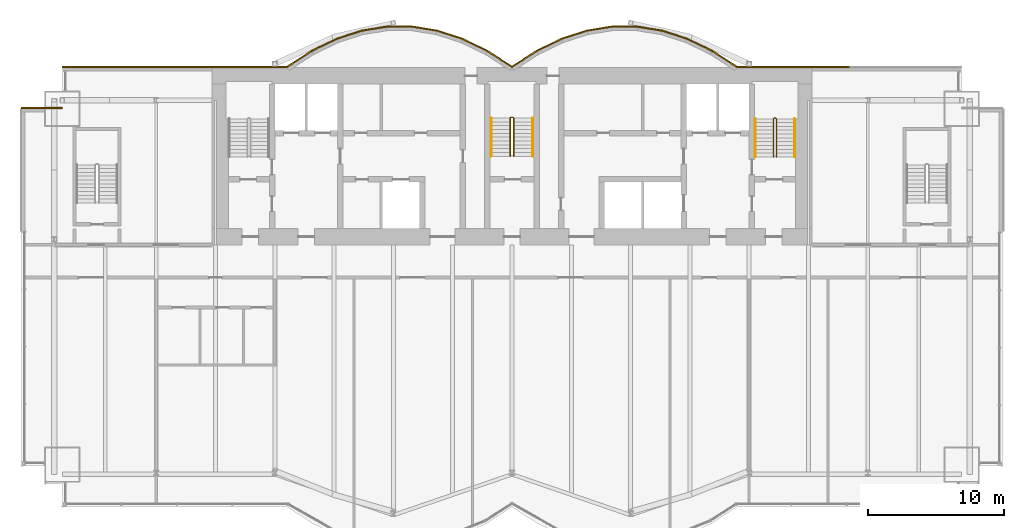
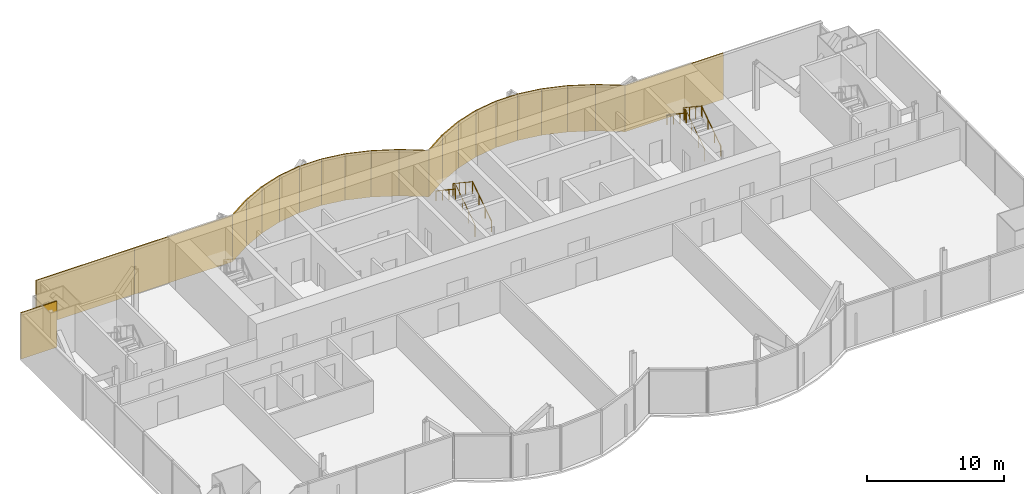
# One storey, part 19 of 20: 22 coverings, 6 railings.
"""IFC4 building model written with IfcOpenShell, lengths in metres."""

from ifc_helpers import new_model, si_unit, direction, frame, origin, origin_2d, place, context, subcontext, project, spatial, rectangle, circle, extrude, material, layer, layer_set, type_object, element, save


model = new_model("IFC4")

# Units and contexts
model_context = context("Model", 3, precision=1e-05, world=origin(), true_north=direction((0.0, 1.0)))
body_context = subcontext(model_context, "Body", "Model", "MODEL_VIEW")
ifc_project = project(units=[si_unit("LENGTHUNIT", "METRE"), si_unit("AREAUNIT", "SQUARE_METRE"), si_unit("VOLUMEUNIT", "CUBIC_METRE"), si_unit("PLANEANGLEUNIT", "RADIAN"), si_unit("MASSUNIT", "GRAM", prefix="KILO")], contexts=[model_context])

# Site, building, storey
site_placement = place(None, origin())
site = spatial("IfcSite", under=ifc_project, at=site_placement, CompositionType="ELEMENT")
building_placement = place(site_placement, origin())
building = spatial("IfcBuilding", under=site, at=building_placement, Name="Bicima Exchange Tower", CompositionType="ELEMENT")
storey_placement = place(building_placement, frame((0.0, 0.0, 207.300048828125)))
storey = spatial("IfcBuildingStorey", under=building, at=storey_placement, Name="L46", CompositionType="ELEMENT", Elevation=207.300048828125)

# Coverings
ifc_material_1 = material(Name="Bronze metal cladding")
ifc_layer_1 = layer(ifc_material_1, 0.004)
ifc_material_2 = material(Name="Ventilated cavity")
ifc_layer_2 = layer(ifc_material_2, 0.06)
ifc_material_3 = material(Name="Galvanised steel rail and mineral wool", Category="steel")
ifc_layer_3 = layer(ifc_material_3, 0.036)
ifc_layer_set = layer_set([ifc_layer_1, ifc_layer_2, ifc_layer_3], Name="Ventilated cavity")
covering_type = type_object("IfcCoveringType", Name="Bronze metal cladding panel 100", PredefinedType="CLADDING", material=ifc_layer_set)
covering_1_placement = place(storey_placement, frame((20.625, 0.050048828125, -0.150146484375), z_axis=(0.0, 0.0, 1.0), x_axis=(-1.0, 0.0, 0.0)))
element("IfcCovering", 1, at=covering_1_placement, inside=storey, type_object=covering_type, Name="Bronze cladding L46 1.2", PredefinedType="CLADDING", context=body_context, shape_type="SweptSolid", body=[
    extrude(rectangle(XDim=8.25, YDim=0.10009765625, at=origin_2d()), origin(), (0.0, 0.0, 1.0), 4.10009765625),
])
covering_2_placement = place(storey_placement, frame((15.610595703125, 0.634521484375, -0.150146484375), z_axis=(0.0, 0.0, 1.0), x_axis=(-0.839790466384, 0.542910648791, 0.0)))
element("IfcCovering", 2, at=covering_2_placement, inside=storey, type_object=covering_type, Name="Bronze cladding L46 2.1", PredefinedType="CLADDING", context=body_context, shape_type="SweptSolid", body=[
    extrude(rectangle(XDim=2.18310546875, YDim=0.10009765625, at=origin_2d()), origin(), (0.0, 0.0, 1.0), 4.10009765625),
])
covering_3_placement = place(storey_placement, frame((13.771728515625, 1.674560546875, -0.150146484375), z_axis=(0.0, 0.0, 1.0), x_axis=(-0.899818346812, 0.436264762204, 0.0)))
element("IfcCovering", 3, at=covering_3_placement, inside=storey, type_object=covering_type, Name="Bronze cladding L46 3.1", PredefinedType="CLADDING", context=body_context, shape_type="SweptSolid", body=[
    extrude(rectangle(XDim=2.03759765625, YDim=0.10009765625, at=origin_2d()), origin(), (0.0, 0.0, 1.0), 4.10009765625),
])
covering_4_placement = place(storey_placement, frame((11.931884765625, 2.41796875, -0.150146484375), z_axis=(0.0, 0.0, 1.0), x_axis=(-0.951524642381, 0.307572519808, 0.0)))
element("IfcCovering", 4, at=covering_4_placement, inside=storey, type_object=covering_type, Name="Bronze cladding L46 4.1", PredefinedType="CLADDING", context=body_context, shape_type="SweptSolid", body=[
    extrude(rectangle(XDim=1.9267578125, YDim=0.10009765625, at=origin_2d()), origin(), (0.0, 0.0, 1.0), 4.10009765625),
])
covering_5_placement = place(storey_placement, frame((10.09130859375, 2.8642578125, -0.150146484375), z_axis=(0.0, 0.0, 1.0), x_axis=(-0.987189786347, 0.159550386184, 0.0)))
element("IfcCovering", 5, at=covering_5_placement, inside=storey, type_object=covering_type, Name="Bronze cladding L46 5.1", PredefinedType="CLADDING", context=body_context, shape_type="SweptSolid", body=[
    extrude(rectangle(XDim=1.857177734375, YDim=0.10009765625, at=origin_2d()), origin(), (0.0, 0.0, 1.0), 4.10009765625),
])
covering_6_placement = place(storey_placement, frame((8.25, 3.012939453125, -0.150146484375), z_axis=(0.0, 0.0, 1.0), x_axis=(-1.0, 0.0, 0.0)))
element("IfcCovering", 6, at=covering_6_placement, inside=storey, type_object=covering_type, Name="Bronze cladding L46 6.1", PredefinedType="CLADDING", context=body_context, shape_type="SweptSolid", body=[
    extrude(rectangle(XDim=1.83349609375, YDim=0.10009765625, at=origin_2d()), origin(), (0.0, 0.0, 1.0), 4.10009765625),
])
covering_7_placement = place(storey_placement, frame((6.40869140625, 2.8642578125, -0.150146484375), z_axis=(0.0, 0.0, 1.0), x_axis=(-0.987189786347, -0.159550386184, 0.0)))
element("IfcCovering", 7, at=covering_7_placement, inside=storey, type_object=covering_type, Name="Bronze cladding L46 7.1", PredefinedType="CLADDING", context=body_context, shape_type="SweptSolid", body=[
    extrude(rectangle(XDim=1.857177734375, YDim=0.10009765625, at=origin_2d()), origin(), (0.0, 0.0, 1.0), 4.10009765625),
])
covering_8_placement = place(storey_placement, frame((4.568115234375, 2.41796875, -0.150146484375), z_axis=(0.0, 0.0, 1.0), x_axis=(-0.951524642381, -0.307572519808, 0.0)))
element("IfcCovering", 8, at=covering_8_placement, inside=storey, type_object=covering_type, Name="Bronze cladding L46 8.1", PredefinedType="CLADDING", context=body_context, shape_type="SweptSolid", body=[
    extrude(rectangle(XDim=1.9267578125, YDim=0.10009765625, at=origin_2d()), origin(), (0.0, 0.0, 1.0), 4.10009765625),
])
covering_9_placement = place(storey_placement, frame((2.728271484375, 1.674560546875, -0.150146484375), z_axis=(0.0, 0.0, 1.0), x_axis=(-0.899818346812, -0.436264762204, 0.0)))
element("IfcCovering", 9, at=covering_9_placement, inside=storey, type_object=covering_type, Name="Bronze cladding L46 9.1", PredefinedType="CLADDING", context=body_context, shape_type="SweptSolid", body=[
    extrude(rectangle(XDim=2.03759765625, YDim=0.10009765625, at=origin_2d()), origin(), (0.0, 0.0, 1.0), 4.10009765625),
])
for number, where, z_axis, x_axis, name in (
    (10, (0.889404296875, 0.634521484375, -0.150146484375), (0.0, 0.0, 1.0), (-0.839790466384, -0.542910648791, 0.0), "Bronze cladding L46 10.1"),
    (11, (-0.889404296875, 0.634521484375, -0.150146484375), (0.0, 0.0, 1.0), (-0.839790466384, 0.542910648791, 0.0), "Bronze cladding L46 11.1"),
):
    element("IfcCovering", number, at=place(storey_placement, frame(where, z_axis=z_axis, x_axis=x_axis)), inside=storey, type_object=covering_type, Name=name, PredefinedType="CLADDING", context=body_context, shape_type="SweptSolid", body=[
        extrude(rectangle(XDim=2.18310546875, YDim=0.10009765625, at=origin_2d()), origin(), (0.0, 0.0, 1.0), 4.10009765625),
    ])
covering_10_placement = place(storey_placement, frame((-2.728271484375, 1.674560546875, -0.150146484375), z_axis=(0.0, 0.0, 1.0), x_axis=(-0.899818346812, 0.436264762204, 0.0)))
element("IfcCovering", 12, at=covering_10_placement, inside=storey, type_object=covering_type, Name="Bronze cladding L46 12.1", PredefinedType="CLADDING", context=body_context, shape_type="SweptSolid", body=[
    extrude(rectangle(XDim=2.03759765625, YDim=0.10009765625, at=origin_2d()), origin(), (0.0, 0.0, 1.0), 4.10009765625),
])
covering_11_placement = place(storey_placement, frame((-4.568115234375, 2.41796875, -0.150146484375), z_axis=(0.0, 0.0, 1.0), x_axis=(-0.951524642381, 0.307572519808, 0.0)))
element("IfcCovering", 13, at=covering_11_placement, inside=storey, type_object=covering_type, Name="Bronze cladding L46 13.1", PredefinedType="CLADDING", context=body_context, shape_type="SweptSolid", body=[
    extrude(rectangle(XDim=1.9267578125, YDim=0.10009765625, at=origin_2d()), origin(), (0.0, 0.0, 1.0), 4.10009765625),
])
covering_12_placement = place(storey_placement, frame((-6.40869140625, 2.8642578125, -0.150146484375), z_axis=(0.0, 0.0, 1.0), x_axis=(-0.987189786347, 0.159550386184, 0.0)))
element("IfcCovering", 14, at=covering_12_placement, inside=storey, type_object=covering_type, Name="Bronze cladding L46 14.1", PredefinedType="CLADDING", context=body_context, shape_type="SweptSolid", body=[
    extrude(rectangle(XDim=1.857177734375, YDim=0.10009765625, at=origin_2d()), origin(), (0.0, 0.0, 1.0), 4.10009765625),
])
covering_13_placement = place(storey_placement, frame((-8.25, 3.012939453125, -0.150146484375), z_axis=(0.0, 0.0, 1.0), x_axis=(-1.0, 0.0, 0.0)))
element("IfcCovering", 15, at=covering_13_placement, inside=storey, type_object=covering_type, Name="Bronze cladding L46 15.1", PredefinedType="CLADDING", context=body_context, shape_type="SweptSolid", body=[
    extrude(rectangle(XDim=1.83349609375, YDim=0.10009765625, at=origin_2d()), origin(), (0.0, 0.0, 1.0), 4.10009765625),
])
covering_14_placement = place(storey_placement, frame((-10.09130859375, 2.8642578125, -0.150146484375), z_axis=(0.0, 0.0, 1.0), x_axis=(-0.987189786347, -0.159550386184, 0.0)))
element("IfcCovering", 16, at=covering_14_placement, inside=storey, type_object=covering_type, Name="Bronze cladding L46 16.1", PredefinedType="CLADDING", context=body_context, shape_type="SweptSolid", body=[
    extrude(rectangle(XDim=1.857177734375, YDim=0.10009765625, at=origin_2d()), origin(), (0.0, 0.0, 1.0), 4.10009765625),
])
covering_15_placement = place(storey_placement, frame((-11.931884765625, 2.41796875, -0.150146484375), z_axis=(0.0, 0.0, 1.0), x_axis=(-0.951524642381, -0.307572519808, 0.0)))
element("IfcCovering", 17, at=covering_15_placement, inside=storey, type_object=covering_type, Name="Bronze cladding L46 17.1", PredefinedType="CLADDING", context=body_context, shape_type="SweptSolid", body=[
    extrude(rectangle(XDim=1.9267578125, YDim=0.10009765625, at=origin_2d()), origin(), (0.0, 0.0, 1.0), 4.10009765625),
])
covering_16_placement = place(storey_placement, frame((-13.771728515625, 1.674560546875, -0.150146484375), z_axis=(0.0, 0.0, 1.0), x_axis=(-0.899818346812, -0.436264762204, 0.0)))
element("IfcCovering", 18, at=covering_16_placement, inside=storey, type_object=covering_type, Name="Bronze cladding L46 18.1", PredefinedType="CLADDING", context=body_context, shape_type="SweptSolid", body=[
    extrude(rectangle(XDim=2.03759765625, YDim=0.10009765625, at=origin_2d()), origin(), (0.0, 0.0, 1.0), 4.10009765625),
])
covering_17_placement = place(storey_placement, frame((-15.610595703125, 0.634521484375, -0.150146484375), z_axis=(0.0, 0.0, 1.0), x_axis=(-0.839790466384, -0.542910648791, 0.0)))
element("IfcCovering", 19, at=covering_17_placement, inside=storey, type_object=covering_type, Name="Bronze cladding L46 19.1", PredefinedType="CLADDING", context=body_context, shape_type="SweptSolid", body=[
    extrude(rectangle(XDim=2.18310546875, YDim=0.10009765625, at=origin_2d()), origin(), (0.0, 0.0, 1.0), 4.10009765625),
])
for number, where, z_axis, x_axis, name in (
    (20, (-20.625, 0.050048828125, -0.150146484375), (0.0, 0.0, 1.0), (-1.0, 0.0, 0.0), "Bronze cladding L46 20.1"),
    (21, (-28.875, 0.050048828125, -0.150146484375), (0.0, 0.0, 1.0), (-1.0, 0.0, 0.0), "Bronze cladding L46 20.2"),
):
    element("IfcCovering", number, at=place(storey_placement, frame(where, z_axis=z_axis, x_axis=x_axis)), inside=storey, type_object=covering_type, Name=name, PredefinedType="CLADDING", context=body_context, shape_type="SweptSolid", body=[
        extrude(rectangle(XDim=8.25, YDim=0.10009765625, at=origin_2d()), origin(), (0.0, 0.0, 1.0), 4.10009765625),
    ])
covering_18_placement = place(storey_placement, frame((-34.5, -2.949951171875, -0.150146484375), z_axis=(0.0, 0.0, 1.0), x_axis=(-1.0, 0.0, 0.0)))
element("IfcCovering", 22, at=covering_18_placement, inside=storey, type_object=covering_type, Name="Bronze cladding L46 22.1", PredefinedType="CLADDING", context=body_context, shape_type="SweptSolid", body=[
    extrude(rectangle(XDim=3.0, YDim=0.10009765625, at=origin_2d()), origin(), (0.0, 0.0, 1.0), 4.10009765625),
])

# Railings
ifc_material_4 = material(Name="Stainless steel", Category="steel")
railing_type_1 = type_object("IfcRailingType", Name="Stair guard 1100", PredefinedType="GUARDRAIL", material=ifc_material_4)
railing_1_placement = place(storey_placement, frame((0.125, -6.5, 0.186279296875)))
element("IfcRailing", 23, at=railing_1_placement, inside=storey, type_object=railing_type_1, Name="L46 ST-C stair guard 1", PredefinedType="GUARDRAIL", context=body_context, shape_type="SweptSolid", body=[
    extrude(circle(Radius=0.02392578125, at=origin_2d()), frame((0.0, 0.0, 1.076171875), z_axis=(0.0, 0.832452072856, 0.554097055034), x_axis=(-1.0, 0.0, 0.0)), (0.0, 0.0, 1.0), 3.363525390625),
    extrude(circle(Radius=0.02392578125, at=origin_2d()), frame((0.0, 2.800048828125, 2.93994140625), z_axis=(-0.707106781187, 0.707106781187, 0.0), x_axis=(-0.707106781187, -0.707106781187, 0.0)), (0.0, 0.0, 1.0), 0.07080078125),
    extrude(circle(Radius=0.02392578125, at=origin_2d()), frame((-0.050048828125, 2.85009765625, 2.93994140625), z_axis=(-1.0, 0.0, 0.0), x_axis=(0.0, -1.0, 0.0)), (0.0, 0.0, 1.0), 0.14990234375),
    extrude(circle(Radius=0.02392578125, at=origin_2d()), frame((-0.199951171875, 2.85009765625, 2.93994140625), z_axis=(-0.251157038772, -0.251157038772, 0.934794246747), x_axis=(0.707106781187, -0.707106781187, 0.0)), (0.0, 0.0, 1.0), 0.19921875),
    extrude(circle(Radius=0.02392578125, at=origin_2d()), frame((-0.25, 2.800048828125, 3.1259765625), z_axis=(0.0, -0.832485552168, 0.554046753832), x_axis=(1.0, 0.0, 0.0)), (0.0, 0.0, 1.0), 3.363525390625),
    extrude(circle(Radius=0.02099609375, at=origin_2d()), origin(), (0.0, 0.0, 1.0), 1.052001953125),
    extrude(circle(Radius=0.02099609375, at=origin_2d()), frame((0.0, 0.933349609375, 0.621337890625)), (0.0, 0.0, 1.0), 1.052001953125),
    extrude(circle(Radius=0.02099609375, at=origin_2d()), frame((0.0, 1.86669921875, 1.242431640625)), (0.0, 0.0, 1.0), 1.052001953125),
    extrude(circle(Radius=0.02099609375, at=origin_2d()), frame((0.0, 2.800048828125, 1.86376953125)), (0.0, 0.0, 1.0), 1.052001953125),
    extrude(circle(Radius=0.02099609375, at=origin_2d()), frame((-0.050048828125, 2.85009765625, 1.86376953125)), (0.0, 0.0, 1.0), 1.052001953125),
    extrude(circle(Radius=0.02099609375, at=origin_2d()), frame((-0.199951171875, 2.85009765625, 1.86376953125)), (0.0, 0.0, 1.0), 1.052001953125),
    extrude(circle(Radius=0.02099609375, at=origin_2d()), frame((-0.25, 2.800048828125, 2.050048828125)), (0.0, 0.0, 1.0), 1.052001953125),
    extrude(circle(Radius=0.02099609375, at=origin_2d()), frame((-0.25, 1.86669921875, 2.671142578125)), (0.0, 0.0, 1.0), 1.052001953125),
    extrude(circle(Radius=0.02099609375, at=origin_2d()), frame((-0.25, 0.933349609375, 3.29248046875)), (0.0, 0.0, 1.0), 1.052001953125),
    extrude(circle(Radius=0.02099609375, at=origin_2d()), frame((-0.25, 0.0, 3.91357421875)), (0.0, 0.0, 1.0), 1.052001953125),
])
railing_2_placement = place(storey_placement, frame((19.39990234375, -6.550048828125, 0.186279296875)))
element("IfcRailing", 24, at=railing_2_placement, inside=storey, type_object=railing_type_1, Name="L46 ST-E stair guard 1", PredefinedType="GUARDRAIL", context=body_context, shape_type="SweptSolid", body=[
    extrude(circle(Radius=0.02392578125, at=origin_2d()), frame((0.0, 0.0, 1.076171875), z_axis=(0.0, 0.832452072856, 0.554097055034), x_axis=(-1.0, 0.0, 0.0)), (0.0, 0.0, 1.0), 3.363525390625),
    extrude(circle(Radius=0.02392578125, at=origin_2d()), frame((0.0, 2.800048828125, 2.93994140625), z_axis=(-0.705375805398, 0.708833529934, 0.0), x_axis=(-0.708833529934, -0.705375805398, 0.0)), (0.0, 0.0, 1.0), 0.070556640625),
    extrude(circle(Radius=0.02392578125, at=origin_2d()), frame((-0.0498046875, 2.85009765625, 2.93994140625), z_axis=(-1.0, 0.0, 0.0), x_axis=(0.0, -1.0, 0.0)), (0.0, 0.0, 1.0), 0.10009765625),
    extrude(circle(Radius=0.02392578125, at=origin_2d()), frame((-0.14990234375, 2.85009765625, 2.93994140625), z_axis=(-0.251157038772, -0.251157038772, 0.934794246747), x_axis=(0.707106781187, -0.707106781187, 0.0)), (0.0, 0.0, 1.0), 0.19921875),
    extrude(circle(Radius=0.02392578125, at=origin_2d()), frame((-0.199951171875, 2.800048828125, 3.1259765625), z_axis=(0.0, -0.832485552168, 0.554046753832), x_axis=(1.0, 0.0, 0.0)), (0.0, 0.0, 1.0), 3.363525390625),
    extrude(circle(Radius=0.02099609375, at=origin_2d()), origin(), (0.0, 0.0, 1.0), 1.052001953125),
    extrude(circle(Radius=0.02099609375, at=origin_2d()), frame((0.0, 0.933349609375, 0.621337890625)), (0.0, 0.0, 1.0), 1.052001953125),
    extrude(circle(Radius=0.02099609375, at=origin_2d()), frame((0.0, 1.86669921875, 1.242431640625)), (0.0, 0.0, 1.0), 1.052001953125),
    extrude(circle(Radius=0.02099609375, at=origin_2d()), frame((0.0, 2.800048828125, 1.86376953125)), (0.0, 0.0, 1.0), 1.052001953125),
    extrude(circle(Radius=0.02099609375, at=origin_2d()), frame((-0.0498046875, 2.85009765625, 1.86376953125)), (0.0, 0.0, 1.0), 1.052001953125),
    extrude(circle(Radius=0.02099609375, at=origin_2d()), frame((-0.14990234375, 2.85009765625, 1.86376953125)), (0.0, 0.0, 1.0), 1.052001953125),
    extrude(circle(Radius=0.02099609375, at=origin_2d()), frame((-0.199951171875, 2.800048828125, 2.050048828125)), (0.0, 0.0, 1.0), 1.052001953125),
    extrude(circle(Radius=0.02099609375, at=origin_2d()), frame((-0.199951171875, 1.86669921875, 2.671142578125)), (0.0, 0.0, 1.0), 1.052001953125),
    extrude(circle(Radius=0.02099609375, at=origin_2d()), frame((-0.199951171875, 0.933349609375, 3.29248046875)), (0.0, 0.0, 1.0), 1.052001953125),
    extrude(circle(Radius=0.02099609375, at=origin_2d()), frame((-0.199951171875, 0.0, 3.91357421875)), (0.0, 0.0, 1.0), 1.052001953125),
])
railing_type_2 = type_object("IfcRailingType", Name="Stair handrail 900", PredefinedType="HANDRAIL", material=ifc_material_4)
railing_3_placement = place(storey_placement, frame((1.52490234375, -6.5, 0.186279296875)))
element("IfcRailing", 25, at=railing_3_placement, inside=storey, type_object=railing_type_2, Name="L46 ST-C stair handrail 1", PredefinedType="HANDRAIL", context=body_context, shape_type="SweptSolid", body=[
    extrude(circle(Radius=0.02392578125, at=origin_2d()), frame((0.0, 0.0, 0.8759765625), z_axis=(0.0, 0.832452072856, 0.554097055034), x_axis=(-1.0, 0.0, 0.0)), (0.0, 0.0, 1.0), 3.363525390625),
    extrude(circle(Radius=0.02099609375, at=origin_2d()), origin(), (0.0, 0.0, 1.0), 0.851806640625),
    extrude(circle(Radius=0.02099609375, at=origin_2d()), frame((0.0, 0.933349609375, 0.621337890625)), (0.0, 0.0, 1.0), 0.851806640625),
    extrude(circle(Radius=0.02099609375, at=origin_2d()), frame((0.0, 1.86669921875, 1.242431640625)), (0.0, 0.0, 1.0), 0.851806640625),
    extrude(circle(Radius=0.02099609375, at=origin_2d()), frame((0.0, 2.800048828125, 1.86376953125)), (0.0, 0.0, 1.0), 0.851806640625),
])
railing_4_placement = place(storey_placement, frame((-1.52490234375, -3.699951171875, 2.276611328125)))
element("IfcRailing", 26, at=railing_4_placement, inside=storey, type_object=railing_type_2, Name="L46 ST-C stair handrail 2", PredefinedType="HANDRAIL", context=body_context, shape_type="SweptSolid", body=[
    extrude(circle(Radius=0.02392578125, at=origin_2d()), frame((0.0, 0.0, 0.8759765625), z_axis=(0.0, -0.832452072856, 0.554097055034), x_axis=(1.0, 0.0, 0.0)), (0.0, 0.0, 1.0), 3.363525390625),
    extrude(circle(Radius=0.02099609375, at=origin_2d()), origin(), (0.0, 0.0, 1.0), 0.851806640625),
    extrude(circle(Radius=0.02099609375, at=origin_2d()), frame((0.0, -0.933349609375, 0.621337890625)), (0.0, 0.0, 1.0), 0.851806640625),
    extrude(circle(Radius=0.02099609375, at=origin_2d()), frame((0.0, -1.86669921875, 1.242431640625)), (0.0, 0.0, 1.0), 0.851806640625),
    extrude(circle(Radius=0.02099609375, at=origin_2d()), frame((0.0, -2.800048828125, 1.86376953125)), (0.0, 0.0, 1.0), 0.851806640625),
])
railing_5_placement = place(storey_placement, frame((20.75, -6.550048828125, 0.186279296875)))
element("IfcRailing", 27, at=railing_5_placement, inside=storey, type_object=railing_type_2, Name="L46 ST-E stair handrail 1", PredefinedType="HANDRAIL", context=body_context, shape_type="SweptSolid", body=[
    extrude(circle(Radius=0.02392578125, at=origin_2d()), frame((0.0, 0.0, 0.8759765625), z_axis=(0.0, 0.832452072856, 0.554097055034), x_axis=(-1.0, 0.0, 0.0)), (0.0, 0.0, 1.0), 3.363525390625),
    extrude(circle(Radius=0.02099609375, at=origin_2d()), origin(), (0.0, 0.0, 1.0), 0.851806640625),
    extrude(circle(Radius=0.02099609375, at=origin_2d()), frame((0.0, 0.933349609375, 0.621337890625)), (0.0, 0.0, 1.0), 0.851806640625),
    extrude(circle(Radius=0.02099609375, at=origin_2d()), frame((0.0, 1.86669921875, 1.242431640625)), (0.0, 0.0, 1.0), 0.851806640625),
    extrude(circle(Radius=0.02099609375, at=origin_2d()), frame((0.0, 2.800048828125, 1.86376953125)), (0.0, 0.0, 1.0), 0.851806640625),
])
railing_6_placement = place(storey_placement, frame((17.85009765625, -3.75, 2.276611328125)))
element("IfcRailing", 28, at=railing_6_placement, inside=storey, type_object=railing_type_2, Name="L46 ST-E stair handrail 2", PredefinedType="HANDRAIL", context=body_context, shape_type="SweptSolid", body=[
    extrude(circle(Radius=0.02392578125, at=origin_2d()), frame((0.0, 0.0, 0.8759765625), z_axis=(0.0, -0.832452072856, 0.554097055034), x_axis=(1.0, 0.0, 0.0)), (0.0, 0.0, 1.0), 3.363525390625),
    extrude(circle(Radius=0.02099609375, at=origin_2d()), origin(), (0.0, 0.0, 1.0), 0.851806640625),
    extrude(circle(Radius=0.02099609375, at=origin_2d()), frame((0.0, -0.933349609375, 0.621337890625)), (0.0, 0.0, 1.0), 0.851806640625),
    extrude(circle(Radius=0.02099609375, at=origin_2d()), frame((0.0, -1.86669921875, 1.242431640625)), (0.0, 0.0, 1.0), 0.851806640625),
    extrude(circle(Radius=0.02099609375, at=origin_2d()), frame((0.0, -2.800048828125, 1.86376953125)), (0.0, 0.0, 1.0), 0.851806640625),
])

save(model, "model.ifc")
